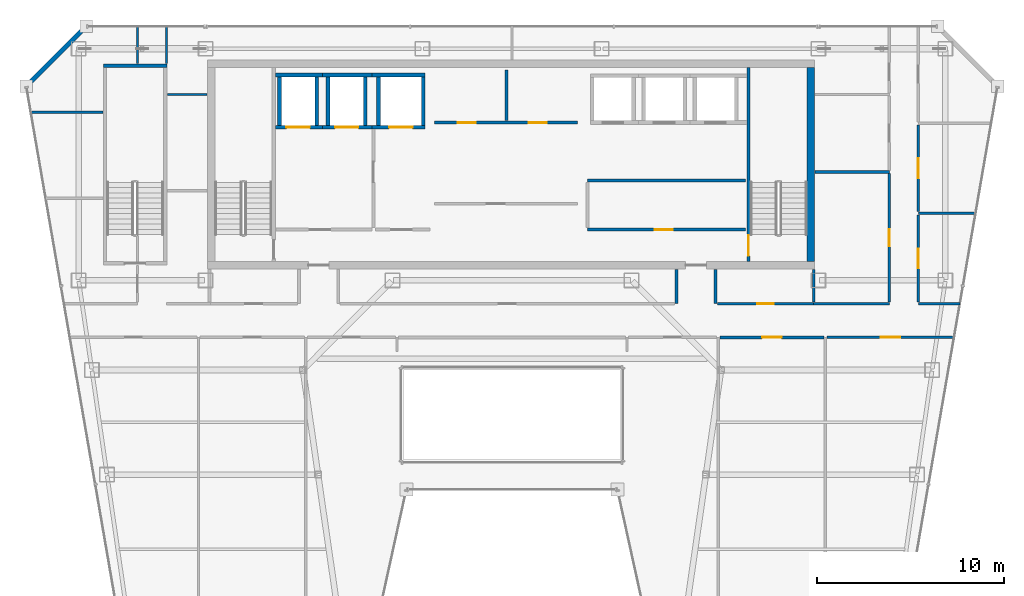
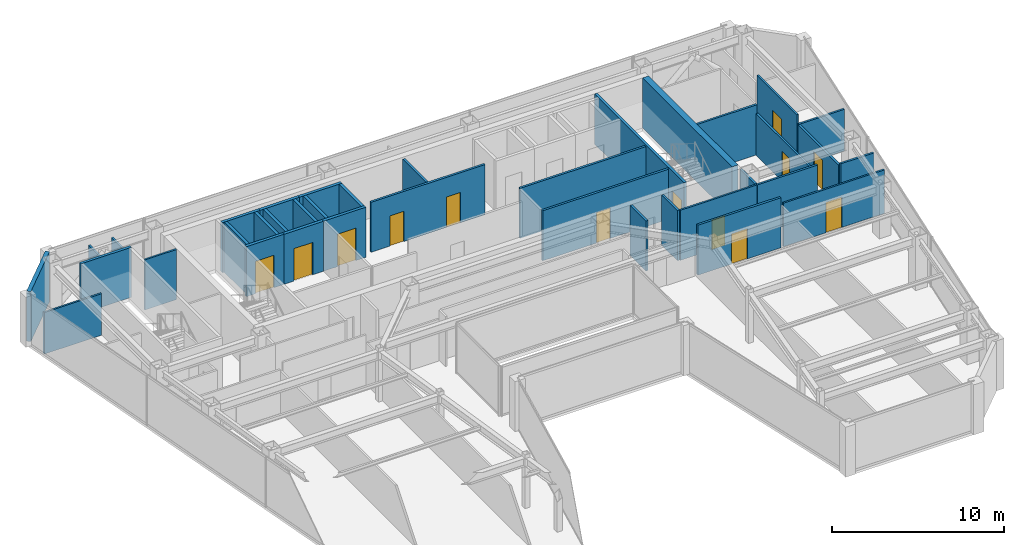
# One storey, part 27 of 32: 37 walls, 13 doors, 13 openings.
"""IFC4 building model written with IfcOpenShell, lengths in metres."""

import ifcopenshell
import ifcopenshell.guid

model = None  # the IFC model being written
_history = None  # IfcOwnerHistory: only IFC2X3 demands one
_inside = {}  # id of a spatial element -> (the spatial element, [elements in it])
_under = {}  # id of a project, library or spatial element -> (it, [spatial elements below it])
_declared = {}  # id of a project -> (the project, [libraries it declares])
_typed = {}  # id of a type object -> (the type object, [elements of that type])
_made_of = {}  # id of a material, layer set ... -> (it, [elements and type objects made of it])


def new_model(schema):
    """Start an empty IFC model of exactly this schema.

    Asked for "IFC4X3", IfcOpenShell would pick the latest addendum, in which some entities
    have other attributes; the version numbers below select the first issue.
    IFC2X3 requires an IfcOwnerHistory on every rooted entity: one is made here for all.
    """
    global model, _history
    if schema == "IFC4X3":
        model = ifcopenshell.file(schema_version=(4, 3, 0, 0))
    else:
        model = ifcopenshell.file(schema=schema)
    _inside.clear()
    _under.clear()
    _declared.clear()
    _typed.clear()
    _made_of.clear()
    _history = None
    if model.schema == "IFC2X3":
        org = make("IfcOrganization", Name="unknown")
        user = make(
            "IfcPersonAndOrganization",
            ThePerson=make("IfcPerson", FamilyName="unknown"),
            TheOrganization=org,
        )
        app = make(
            "IfcApplication",
            ApplicationDeveloper=org,
            Version="unknown",
            ApplicationFullName="unknown",
            ApplicationIdentifier="unknown",
        )
        _history = make(
            "IfcOwnerHistory",
            OwningUser=user,
            OwningApplication=app,
            ChangeAction="ADDED",
            CreationDate=0,
        )
    return model


def make(cls, **values):
    """One entity of the class cls with the attributes given. An attribute that is None is left unset."""
    return model.create_entity(
        cls, **{name: value for name, value in values.items() if value is not None}
    )


def rooted(cls, **values):
    """An entity with a GlobalId (a new one), such as an element, a storey or a relation."""
    return make(cls, GlobalId=ifcopenshell.guid.new(), OwnerHistory=_history, **values)


def si_unit(unit_type, name, prefix=None):
    """IfcSIUnit, for example si_unit("LENGTHUNIT", "METRE", prefix="MILLI")."""
    return make("IfcSIUnit", UnitType=unit_type, Prefix=prefix, Name=name)


def assignment(units):
    """IfcUnitAssignment: the units of a project."""
    return None if units is None else make("IfcUnitAssignment", Units=units)


def point(xyz):
    """IfcCartesianPoint."""
    return None if xyz is None else make("IfcCartesianPoint", Coordinates=xyz)


def direction(xyz):
    """IfcDirection."""
    return None if xyz is None else make("IfcDirection", DirectionRatios=xyz)


def frame(location, z_axis=None, x_axis=None):
    """IfcAxis2Placement3D, a coordinate frame: its origin and axes. An axis left out is left unset."""
    return make(
        "IfcAxis2Placement3D",
        Location=point(location),
        Axis=direction(z_axis),
        RefDirection=direction(x_axis),
    )


def frame_2d(location, x_axis=None):
    """IfcAxis2Placement2D, a coordinate frame in the plane: its origin and x axis."""
    return make(
        "IfcAxis2Placement2D", Location=point(location), RefDirection=direction(x_axis)
    )


def origin():
    """The frame at (0, 0, 0) with its axes left unset."""
    return frame((0.0, 0.0, 0.0))


def place(relative_to, where):
    """IfcLocalPlacement: puts the frame where relative to a parent placement (None: the world)."""
    return make(
        "IfcLocalPlacement", PlacementRelTo=relative_to, RelativePlacement=where
    )


def context(
    kind, dimensions, precision=None, world=None, true_north=None, identifier=None
):
    """IfcGeometricRepresentationContext, for example the 3D "Model" context."""
    return make(
        "IfcGeometricRepresentationContext",
        ContextIdentifier=identifier,
        ContextType=kind,
        CoordinateSpaceDimension=dimensions,
        Precision=precision,
        WorldCoordinateSystem=world,
        TrueNorth=true_north,
    )


def subcontext(parent, identifier, kind, view, scale=None):
    """IfcGeometricRepresentationSubContext, for example "Body" below "Model"."""
    return make(
        "IfcGeometricRepresentationSubContext",
        ContextIdentifier=identifier,
        ContextType=kind,
        ParentContext=parent,
        TargetScale=scale,
        TargetView=view,
    )


def project(units=None, contexts=None):
    """IfcProject with its units and contexts."""
    return rooted(
        "IfcProject",
        Name="project",
        RepresentationContexts=contexts,
        UnitsInContext=assignment(units),
    )


def spatial(cls, under=None, at=None, **own):
    """A site, building, storey or space (cls), placed at a placement, below another one or the project."""
    s = rooted(cls, ObjectPlacement=at, **own)
    if under is not None:
        _under.setdefault(under.id(), (under, []))[1].append(s)
    return s


def profile(cls, at=None, kind="AREA", **sizes):
    """A parametric profile (cls). Its sizes go by their IFC names, for example OverallWidth=200.0."""
    return make(cls, ProfileType=kind, Position=at, **sizes)


def rectangle(**sizes):
    """IfcRectangleProfileDef."""
    return profile("IfcRectangleProfileDef", **sizes)


def extrude(swept, where, along, depth):
    """IfcExtrudedAreaSolid: the profile swept, set in the frame where, extruded along a direction by depth."""
    return make(
        "IfcExtrudedAreaSolid",
        SweptArea=swept,
        Position=where,
        ExtrudedDirection=direction(along),
        Depth=depth,
    )


def shape(context_of_items, identifier, shape_type, items):
    """IfcShapeRepresentation: the items that make up one representation, for example the "Body"."""
    return make(
        "IfcShapeRepresentation",
        ContextOfItems=context_of_items,
        RepresentationIdentifier=identifier,
        RepresentationType=shape_type,
        Items=items,
    )


def material(Name=None, Category=None):
    """IfcMaterial."""
    return make("IfcMaterial", Name=Name, Category=Category)


def layer(
    of_material, thickness, ventilated=None, Name=None, Category=None, Priority=None
):
    """IfcMaterialLayer: one layer of a wall or slab, of a material (None: an air gap)."""
    return make(
        "IfcMaterialLayer",
        Material=of_material,
        LayerThickness=thickness,
        IsVentilated=ventilated,
        Name=Name,
        Category=Category,
        Priority=Priority,
    )


def layer_set(layers, Name=None):
    """IfcMaterialLayerSet."""
    return make("IfcMaterialLayerSet", MaterialLayers=layers, LayerSetName=Name)


def made_of(thing, what):
    """Note that an element or type object is made of a material, layer set ...; save() writes the relation."""
    if what is not None:
        _made_of.setdefault(what.id(), (what, []))[1].append(thing)
    return thing


def type_object(cls, material=None, **own):
    """A type object (cls), such as IfcWallType, which elements share."""
    return made_of(rooted(cls, **own), material)


def element(
    cls,
    number,
    at=None,
    inside=None,
    cuts=None,
    type_object=None,
    material=None,
    context=None,
    identifier="Body",
    shape_type=None,
    held_by="IfcProductDefinitionShape",
    body=None,
    shapes=None,
    **own,
):
    """One element of the class cls, such as IfcWall. Its Tag is "e" and its number.

    at: its placement. inside: the storey or other place that contains it. cuts: it is an
    opening in that element (IfcRelVoidsElement). A single representation is given by context,
    identifier, shape_type and body (its items); several are given by shapes. held_by: the class
    of the entity that holds the representations. save() writes the other relations.
    """
    e = rooted(cls, Tag="e%d" % number, ObjectPlacement=at, **own)
    if body is not None:
        shapes = [shape(context, identifier, shape_type, body)]
    if shapes is not None:
        e.Representation = make(held_by, Representations=shapes)
    if inside is not None:
        _inside.setdefault(inside.id(), (inside, []))[1].append(e)
    if cuts is not None:
        rooted(
            "IfcRelVoidsElement", RelatingBuildingElement=cuts, RelatedOpeningElement=e
        )
    if type_object is not None:
        _typed.setdefault(type_object.id(), (type_object, []))[1].append(e)
    return made_of(e, material)


def fill(opening, filler):
    """IfcRelFillsElement: the door or window that sits in an opening."""
    return rooted(
        "IfcRelFillsElement",
        RelatingOpeningElement=opening,
        RelatedBuildingElement=filler,
    )


def aggregate(whole, parts):
    """IfcRelAggregates: a whole, such as a stair, and the parts it consists of."""
    return rooted("IfcRelAggregates", RelatingObject=whole, RelatedObjects=parts)


def save(model, path):
    """Write the relations noted so far, then the file.

    IfcRelAggregates (storeys below a building ...), IfcRelContainedInSpatialStructure (elements
    in a storey), IfcRelDefinesByType, IfcRelAssociatesMaterial and IfcRelDeclares: one each for
    every whole, place, type object, material and project.
    """
    for whole, parts in _under.values():
        aggregate(whole, parts)
    for where, things in _inside.values():
        rooted(
            "IfcRelContainedInSpatialStructure",
            RelatedElements=things,
            RelatingStructure=where,
        )
    for kind, things in _typed.values():
        rooted("IfcRelDefinesByType", RelatedObjects=things, RelatingType=kind)
    for what, things in _made_of.values():
        rooted("IfcRelAssociatesMaterial", RelatedObjects=things, RelatingMaterial=what)
    for by, libraries in _declared.values():
        rooted("IfcRelDeclares", RelatingContext=by, RelatedDefinitions=libraries)
    model.write(path)


model = new_model("IFC4")

# Units and contexts
model_context = context("Model", 3, precision=1e-05, world=origin(), true_north=direction((0.0, 1.0)))
body_context = subcontext(model_context, "Body", "Model", "MODEL_VIEW")
ifc_project = project(units=[si_unit("LENGTHUNIT", "METRE"), si_unit("AREAUNIT", "SQUARE_METRE"), si_unit("VOLUMEUNIT", "CUBIC_METRE"), si_unit("PLANEANGLEUNIT", "RADIAN"), si_unit("MASSUNIT", "GRAM", prefix="KILO")], contexts=[model_context])

# Site, building, storey
site_placement = place(None, origin())
site = spatial("IfcSite", under=ifc_project, at=site_placement, CompositionType="ELEMENT")
building_placement = place(site_placement, origin())
building = spatial("IfcBuilding", under=site, at=building_placement, Name="Saevonmaru Cultural Tower", CompositionType="ELEMENT")
storey_placement = place(building_placement, frame((0.0, 0.0, 242.0)))
storey = spatial("IfcBuildingStorey", under=building, at=storey_placement, Name="L56", CompositionType="ELEMENT", Elevation=242.0)

# Wall
ifc_material_1 = material(Name="Concrete C50/60", Category="concrete")
ifc_layer_1 = layer(ifc_material_1, 0.39990234375, Name="Concrete C50/60")
ifc_layer_set_1 = layer_set([ifc_layer_1], Name="Concrete C50/60")
wall_type_1 = type_object("IfcWallType", Name="WL-CORE-400", PredefinedType="SHEAR", material=ifc_layer_set_1)
wall_1_placement = place(storey_placement, frame((46.0, 43.39990234375, 0.0), z_axis=(0.0, 0.0, 1.0), x_axis=(0.0, 1.0, 0.0)))
element("IfcWall", 1, at=wall_1_placement, inside=storey, type_object=wall_type_1, Name="L56 Tower RC core shear wall E", PredefinedType="SHEAR", context=body_context, shape_type="SweptSolid", body=[
    extrude(rectangle(XDim=10.400146484375, YDim=0.39990234375, at=frame_2d((5.2001953125, 0.0))), origin(), (0.0, 0.0, 1.0), 3.550048828125),
])

# Wall, opening, door
ifc_material_2 = material(Name="Gypsum Fireboard Partition", Category="gypsum")
ifc_layer_2 = layer(ifc_material_2, 0.14990234375, Name="Gypsum Fireboard Partition")
ifc_layer_set_2 = layer_set([ifc_layer_2], Name="Gypsum Fireboard Partition")
wall_type_2 = type_object("IfcWallType", Name="WL-CORE-PART-150", PredefinedType="PARTITIONING", material=ifc_layer_set_2)
wall_2_placement = place(storey_placement, frame((34.050048828125, 45.1201171875, 0.0), z_axis=(0.0, 0.0, 1.0), x_axis=(1.0, 0.0, 0.0)))
wall_2 = element("IfcWall", 2, at=wall_2_placement, inside=storey, type_object=wall_type_2, Name="L56 Core Service South Wall", PredefinedType="PARTITIONING", context=body_context, shape_type="SweptSolid", body=[
    extrude(rectangle(XDim=8.449951171875, YDim=0.14990234375, at=frame_2d((4.22509765625, 0.0))), origin(), (0.0, 0.0, 1.0), 3.550048828125),
])
opening_1_placement = place(wall_2_placement, frame((3.60009765625, 0.0, 0.0)))
opening_1 = element("IfcOpeningElement", 3, at=opening_1_placement, cuts=wall_2, Name="Opening FD-4", PredefinedType="OPENING", context=body_context, shape_type="SweptSolid", body=[
    extrude(rectangle(XDim=0.949951171875, YDim=2.14990234375, at=frame_2d((0.47509765625, 1.074951171875))), frame((0.0, 0.0849609375, 0.0), z_axis=(0.0, -1.0, 0.0), x_axis=(1.0, 0.0, 0.0)), (0.0, 0.0, 1.0), 0.169921875),
])
ifc_material_3 = material(Name="Satin Bronze Anodised Aluminium", Category="aluminium")
door_type_1 = type_object("IfcDoorType", Name="DR-FD60-950", OperationType="SINGLE_SWING_LEFT", PredefinedType="DOOR", material=ifc_material_3)
door_1_placement = place(opening_1_placement, origin())
door_1 = element("IfcDoor", 4, at=door_1_placement, inside=storey, type_object=door_type_1, Name="L56 Telecom Riser Plant Door", OperationType="SINGLE_SWING_LEFT", OverallHeight=2.14990234375, OverallWidth=0.949951171875, PredefinedType="DOOR", context=body_context, shape_type="SweptSolid", body=[
    extrude(rectangle(XDim=0.949951171875, YDim=2.14990234375, at=frame_2d((0.47509765625, 1.074951171875))), frame((0.0, 0.02490234375, 0.0), z_axis=(0.0, -1.0, 0.0), x_axis=(1.0, 0.0, 0.0)), (0.0, 0.0, 1.0), 0.050048828125),
])
fill(opening_1, door_1)

# Wall
wall_3_placement = place(storey_placement, frame((34.050048828125, 47.75, 0.0), z_axis=(0.0, 0.0, 1.0), x_axis=(1.0, 0.0, 0.0)))
element("IfcWall", 5, at=wall_3_placement, inside=storey, type_object=wall_type_2, Name="L56 Core Service North Wall", PredefinedType="PARTITIONING", context=body_context, shape_type="SweptSolid", body=[
    extrude(rectangle(XDim=8.449951171875, YDim=0.14990234375, at=frame_2d((4.22509765625, 0.0))), origin(), (0.0, 0.0, 1.0), 3.550048828125),
])

# Wall, openings, doors
wall_4_placement = place(storey_placement, frame((25.85009765625, 50.85009765625, 0.0), z_axis=(0.0, 0.0, 1.0), x_axis=(1.0, 0.0, 0.0)))
wall_4 = element("IfcWall", 6, at=wall_4_placement, inside=storey, type_object=wall_type_2, Name="L56 Reclaimed Core Room South Wall", PredefinedType="PARTITIONING", context=body_context, shape_type="SweptSolid", body=[
    extrude(rectangle(XDim=7.64990234375, YDim=0.14990234375, at=frame_2d((3.824951171875, 0.0))), origin(), (0.0, 0.0, 1.0), 3.550048828125),
])
opening_2_placement = place(wall_4_placement, frame((1.25, 0.0, 0.0)))
opening_2 = element("IfcOpeningElement", 7, at=opening_2_placement, cuts=wall_4, Name="Opening FD-4", PredefinedType="OPENING", context=body_context, shape_type="SweptSolid", body=[
    extrude(rectangle(XDim=0.949951171875, YDim=2.14990234375, at=frame_2d((0.47509765625, 1.074951171875))), frame((0.0, 0.0849609375, 0.0), z_axis=(0.0, -1.0, 0.0), x_axis=(1.0, 0.0, 0.0)), (0.0, 0.0, 1.0), 0.169921875),
])
opening_3_placement = place(wall_4_placement, frame((5.050048828125, 0.0, 0.0)))
opening_3 = element("IfcOpeningElement", 8, at=opening_3_placement, cuts=wall_4, Name="Opening FD-4", PredefinedType="OPENING", context=body_context, shape_type="SweptSolid", body=[
    extrude(rectangle(XDim=0.949951171875, YDim=2.14990234375, at=frame_2d((0.47509765625, 1.074951171875))), frame((0.0, 0.0849609375, 0.0), z_axis=(0.0, -1.0, 0.0), x_axis=(1.0, 0.0, 0.0)), (0.0, 0.0, 1.0), 0.169921875),
])
door_2_placement = place(opening_2_placement, origin())
door_2 = element("IfcDoor", 9, at=door_2_placement, inside=storey, type_object=door_type_1, Name="L56 Reclaimed Archive Vault Door", OperationType="SINGLE_SWING_LEFT", OverallHeight=2.14990234375, OverallWidth=0.949951171875, PredefinedType="DOOR", context=body_context, shape_type="SweptSolid", body=[
    extrude(rectangle(XDim=0.949951171875, YDim=2.14990234375, at=frame_2d((0.47509765625, 1.074951171875))), frame((0.0, 0.02490234375, 0.0), z_axis=(0.0, -1.0, 0.0), x_axis=(1.0, 0.0, 0.0)), (0.0, 0.0, 1.0), 0.050048828125),
])
fill(opening_2, door_2)
door_3_placement = place(opening_3_placement, origin())
door_3 = element("IfcDoor", 10, at=door_3_placement, inside=storey, type_object=door_type_1, Name="L56 Reclaimed Conservation Storage Door", OperationType="SINGLE_SWING_LEFT", OverallHeight=2.14990234375, OverallWidth=0.949951171875, PredefinedType="DOOR", context=body_context, shape_type="SweptSolid", body=[
    extrude(rectangle(XDim=0.949951171875, YDim=2.14990234375, at=frame_2d((0.47509765625, 1.074951171875))), frame((0.0, 0.02490234375, 0.0), z_axis=(0.0, -1.0, 0.0), x_axis=(1.0, 0.0, 0.0)), (0.0, 0.0, 1.0), 0.050048828125),
])
fill(opening_3, door_3)

# Walls
wall_5_placement = place(storey_placement, frame((29.699951171875, 50.949951171875, 0.0), z_axis=(0.0, 0.0, 1.0), x_axis=(0.0, 1.0, 0.0)))
element("IfcWall", 11, at=wall_5_placement, inside=storey, type_object=wall_type_2, Name="L56 Reclaimed Vault Split", PredefinedType="PARTITIONING", context=body_context, shape_type="SweptSolid", body=[
    extrude(rectangle(XDim=2.699951171875, YDim=0.14990234375, at=frame_2d((1.35009765625, 0.0))), origin(), (0.0, 0.0, 1.0), 3.550048828125),
])
ifc_material_4 = material(Name="Granite-Clad Precast Concrete C40/50", Category="masonry")
ifc_layer_3 = layer(ifc_material_4, 0.260009765625, Name="Granite-Clad Precast Concrete C40/50")
ifc_layer_set_3 = layer_set([ifc_layer_3], Name="Granite-Clad Precast Concrete C40/50")
wall_type_3 = type_object("IfcWallType", Name="WL-EXT-SPANDREL-260", PredefinedType="STANDARD", material=ifc_layer_set_3)
wall_6_placement = place(storey_placement, frame((7.0869140625, 55.886962890625, 0.0), z_axis=(0.0, 0.0, 1.0), x_axis=(-0.707106781187, -0.707106781187, 0.0)))
element("IfcWall", 12, at=wall_6_placement, inside=storey, type_object=wall_type_3, Name="L56 Chamfer Corner Spandrel Wall E11", PredefinedType="STANDARD", context=body_context, shape_type="SweptSolid", body=[
    extrude(rectangle(XDim=4.205810546875, YDim=0.260009765625, at=frame_2d((2.10302734375, 0.0))), origin(), (0.0, 0.0, 1.0), 3.550048828125),
])

# Wall, opening, door
ifc_layer_4 = layer(ifc_material_2, 0.14990234375, Name="Gypsum Fireboard Partition")
ifc_layer_set_4 = layer_set([ifc_layer_4], Name="Gypsum Fireboard Partition")
wall_type_4 = type_object("IfcWallType", Name="WL-PART-FIRE-150", PredefinedType="PARTITIONING", material=ifc_layer_set_4)
wall_7_placement = place(storey_placement, frame((51.75, 41.237548828125, 0.0), z_axis=(0.0, 0.0, 1.0), x_axis=(0.0, 1.0, 0.0)))
wall_7 = element("IfcWall", 13, at=wall_7_placement, inside=storey, type_object=wall_type_4, Name="L56 East Asian Ceramics Gallery Corridor Wall", PredefinedType="PARTITIONING", context=body_context, shape_type="SweptSolid", body=[
    extrude(rectangle(XDim=4.675048828125, YDim=0.14990234375, at=frame_2d((2.33740234375, 0.0))), origin(), (0.0, 0.0, 1.0), 2.947021484375),
])
opening_4_placement = place(wall_7_placement, frame((1.81298828125, 0.0, 0.0)))
opening_4 = element("IfcOpeningElement", 14, at=opening_4_placement, cuts=wall_7, Name="Opening ID-1", PredefinedType="OPENING", context=body_context, shape_type="SweptSolid", body=[
    extrude(rectangle(XDim=1.050048828125, YDim=2.14990234375, at=frame_2d((0.52490234375, 1.074951171875))), frame((0.0, 0.0849609375, 0.0), z_axis=(0.0, -1.0, 0.0), x_axis=(1.0, 0.0, 0.0)), (0.0, 0.0, 1.0), 0.169921875),
])
door_type_2 = type_object("IfcDoorType", Name="DR-INT-1050", OperationType="SINGLE_SWING_LEFT", PredefinedType="DOOR", material=ifc_material_3)
door_4_placement = place(opening_4_placement, origin())
door_4 = element("IfcDoor", 15, at=door_4_placement, inside=storey, type_object=door_type_2, Name="L56 East Asian Ceramics Gallery Door", OperationType="SINGLE_SWING_RIGHT", OverallHeight=2.14990234375, OverallWidth=1.050048828125, PredefinedType="DOOR", context=body_context, shape_type="SweptSolid", body=[
    extrude(rectangle(XDim=1.050048828125, YDim=2.14990234375, at=frame_2d((0.52490234375, 1.074951171875))), frame((0.0, 0.02490234375, 0.0), z_axis=(0.0, -1.0, 0.0), x_axis=(1.0, 0.0, 0.0)), (0.0, 0.0, 1.0), 0.050048828125),
])
fill(opening_4, door_4)

# Walls
for number, where, z_axis, x_axis, name in (
    (16, (38.800048828125, 41.14990234375, 0.0), (0.0, 0.0, 1.0), (0.0, 1.0, 0.0), "L56 Core Portal Side Wall E1"),
    (17, (40.89990234375, 41.14990234375, 0.0), (0.0, 0.0, 1.0), (0.0, 1.0, 0.0), "L56 Core Portal Side Wall E2"),
):
    element("IfcWall", number, at=place(storey_placement, frame(where, z_axis=z_axis, x_axis=x_axis)), inside=storey, type_object=wall_type_4, Name=name, PredefinedType="PARTITIONING", context=body_context, shape_type="SweptSolid", body=[
        extrude(rectangle(XDim=1.830078125, YDim=0.14990234375, at=frame_2d((0.9150390625, 0.0))), origin(), (0.0, 0.0, 1.0), 3.550048828125),
    ])

# Wall, opening, door
wall_8_placement = place(storey_placement, frame((41.12744140625, 39.35009765625, 0.0), z_axis=(0.0, 0.0, 1.0), x_axis=(1.0, 0.0, 0.0)))
wall_8 = element("IfcWall", 18, at=wall_8_placement, inside=storey, type_object=wall_type_4, Name="L56 East Asian Ceramics Gallery Corridor Wall", PredefinedType="PARTITIONING", context=body_context, shape_type="SweptSolid", body=[
    extrude(rectangle(XDim=5.56494140625, YDim=0.14990234375, at=frame_2d((2.782470703125, 0.0))), origin(), (0.0, 0.0, 1.0), 3.550048828125),
])
opening_5_placement = place(wall_8_placement, frame((2.258056640625, 0.0, 0.0)))
opening_5 = element("IfcOpeningElement", 19, at=opening_5_placement, cuts=wall_8, Name="Opening ID-1", PredefinedType="OPENING", context=body_context, shape_type="SweptSolid", body=[
    extrude(rectangle(XDim=1.050048828125, YDim=2.14990234375, at=frame_2d((0.52490234375, 1.074951171875))), frame((0.0, 0.0849609375, 0.0), z_axis=(0.0, -1.0, 0.0), x_axis=(1.0, 0.0, 0.0)), (0.0, 0.0, 1.0), 0.169921875),
])
door_5_placement = place(opening_5_placement, origin())
door_5 = element("IfcDoor", 20, at=door_5_placement, inside=storey, type_object=door_type_2, Name="L56 East Asian Ceramics Gallery Door", OperationType="SINGLE_SWING_RIGHT", OverallHeight=2.14990234375, OverallWidth=1.050048828125, PredefinedType="DOOR", context=body_context, shape_type="SweptSolid", body=[
    extrude(rectangle(XDim=1.050048828125, YDim=2.14990234375, at=frame_2d((0.52490234375, 1.074951171875))), frame((0.0, 0.02490234375, 0.0), z_axis=(0.0, -1.0, 0.0), x_axis=(1.0, 0.0, 0.0)), (0.0, 0.0, 1.0), 0.050048828125),
])
fill(opening_5, door_5)

# Walls
ifc_layer_5 = layer(ifc_material_2, 0.1201171875, Name="Gypsum Fireboard Partition")
ifc_layer_set_5 = layer_set([ifc_layer_5], Name="Gypsum Fireboard Partition")
wall_type_5 = type_object("IfcWallType", Name="WL-PART-GYP-120", PredefinedType="PARTITIONING", material=ifc_layer_set_5)
wall_9_placement = place(storey_placement, frame((11.550048828125, 52.35009765625, 0.0), z_axis=(0.0, 0.0, 1.0), x_axis=(1.0, 0.0, 0.0)))
element("IfcWall", 21, at=wall_9_placement, inside=storey, type_object=wall_type_5, Name="L56 North-West Panorama South Wall", PredefinedType="PARTITIONING", context=body_context, shape_type="SweptSolid", body=[
    extrude(rectangle(XDim=2.1298828125, YDim=0.1201171875, at=frame_2d((1.06494140625, 0.0))), origin(), (0.0, 0.0, 1.0), 3.550048828125),
])
wall_10_placement = place(storey_placement, frame((11.5, 54.0, 0.0), z_axis=(0.0, 0.0, 1.0), x_axis=(0.0, 1.0, 0.0)))
element("IfcWall", 22, at=wall_10_placement, inside=storey, type_object=wall_type_5, Name="L56 Literature Seminar Meeting Room Corridor Wall", PredefinedType="PARTITIONING", context=body_context, shape_type="SweptSolid", body=[
    extrude(rectangle(XDim=1.9951171875, YDim=0.1201171875, at=frame_2d((0.99755859375, 0.0))), origin(), (0.0, 0.0, 1.0), 2.93505859375),
])
wall_11_placement = place(storey_placement, frame((4.247802734375, 51.39990234375, 0.0), z_axis=(0.0, 0.0, 1.0), x_axis=(1.0, 0.0, 0.0)))
element("IfcWall", 23, at=wall_11_placement, inside=storey, type_object=wall_type_5, Name="L56 NW Studio Divider 2", PredefinedType="PARTITIONING", context=body_context, shape_type="SweptSolid", body=[
    extrude(rectangle(XDim=3.852294921875, YDim=0.1201171875, at=frame_2d((1.92626953125, 0.0))), origin(), (0.0, 0.0, 1.0), 2.947021484375),
])
wall_12_placement = place(storey_placement, frame((9.949951171875, 54.0, 0.0), z_axis=(0.0, 0.0, 1.0), x_axis=(0.0, 1.0, 0.0)))
element("IfcWall", 24, at=wall_12_placement, inside=storey, type_object=wall_type_5, Name="L56 Literature Seminar Meeting Room Corridor Wall", PredefinedType="PARTITIONING", context=body_context, shape_type="SweptSolid", body=[
    extrude(rectangle(XDim=1.9951171875, YDim=0.1201171875, at=frame_2d((0.99755859375, 0.0))), origin(), (0.0, 0.0, 1.0), 2.93505859375),
])

# Wall, opening, door
wall_13_placement = place(storey_placement, frame((51.75, 46.08740234375, 0.0), z_axis=(0.0, 0.0, 1.0), x_axis=(0.0, 1.0, 0.0)))
wall_13 = element("IfcWall", 25, at=wall_13_placement, inside=storey, type_object=wall_type_5, Name="L56 Rare Folio Reading Room Corridor Wall", PredefinedType="PARTITIONING", context=body_context, shape_type="SweptSolid", body=[
    extrude(rectangle(XDim=4.625, YDim=0.1201171875, at=frame_2d((2.3125, 0.0))), origin(), (0.0, 0.0, 1.0), 3.550048828125),
])
opening_6_placement = place(wall_13_placement, frame((1.7880859375, 0.0, 0.0)))
opening_6 = element("IfcOpeningElement", 26, at=opening_6_placement, cuts=wall_13, Name="Opening ID-1", PredefinedType="OPENING", context=body_context, shape_type="SweptSolid", body=[
    extrude(rectangle(XDim=1.050048828125, YDim=2.14990234375, at=frame_2d((0.52490234375, 1.074951171875))), frame((0.0, 0.070068359375, 0.0), z_axis=(0.0, -1.0, 0.0), x_axis=(1.0, 0.0, 0.0)), (0.0, 0.0, 1.0), 0.14013671875),
])
door_6_placement = place(opening_6_placement, origin())
door_6 = element("IfcDoor", 27, at=door_6_placement, inside=storey, type_object=door_type_2, Name="L56 Rare Folio Reading Room Door", OperationType="SINGLE_SWING_LEFT", OverallHeight=2.14990234375, OverallWidth=1.050048828125, PredefinedType="DOOR", context=body_context, shape_type="SweptSolid", body=[
    extrude(rectangle(XDim=1.050048828125, YDim=2.14990234375, at=frame_2d((0.52490234375, 1.074951171875))), frame((0.0, 0.02490234375, 0.0), z_axis=(0.0, -1.0, 0.0), x_axis=(1.0, 0.0, 0.0)), (0.0, 0.0, 1.0), 0.050048828125),
])
fill(opening_6, door_6)

wall_14_placement = place(storey_placement, frame((40.9951171875, 41.14990234375, 0.0), z_axis=(0.0, 0.0, 1.0), x_axis=(1.0, 0.0, 0.0)))
wall_14 = element("IfcWall", 28, at=wall_14_placement, inside=storey, type_object=wall_type_5, Name="L56 Literature Seminar Meeting Room Corridor Wall", PredefinedType="PARTITIONING", context=body_context, shape_type="SweptSolid", body=[
    extrude(rectangle(XDim=5.15478515625, YDim=0.1201171875, at=frame_2d((2.577392578125, 0.0))), origin(), (0.0, 0.0, 1.0), 3.550048828125),
])
opening_7_placement = place(wall_14_placement, frame((2.1279296875, 0.0, 0.0)))
opening_7 = element("IfcOpeningElement", 29, at=opening_7_placement, cuts=wall_14, Name="Opening ID-2", PredefinedType="OPENING", context=body_context, shape_type="SweptSolid", body=[
    extrude(rectangle(XDim=0.89990234375, YDim=2.10009765625, at=frame_2d((0.449951171875, 1.050048828125))), frame((0.0, 0.070068359375, 0.0), z_axis=(0.0, -1.0, 0.0), x_axis=(1.0, 0.0, 0.0)), (0.0, 0.0, 1.0), 0.14013671875),
])
ifc_material_5 = material(Name="Acoustic Stained Oak Timber", Category="wood")
door_type_3 = type_object("IfcDoorType", Name="DR-INT-900", OperationType="SINGLE_SWING_RIGHT", PredefinedType="DOOR", material=ifc_material_5)
door_7_placement = place(opening_7_placement, origin())
door_7 = element("IfcDoor", 30, at=door_7_placement, inside=storey, type_object=door_type_3, Name="L56 Literature Seminar Meeting Room Door", OperationType="SINGLE_SWING_LEFT", OverallHeight=2.10009765625, OverallWidth=0.89990234375, PredefinedType="DOOR", context=body_context, shape_type="SweptSolid", body=[
    extrude(rectangle(XDim=0.89990234375, YDim=2.10009765625, at=frame_2d((0.449951171875, 1.050048828125))), frame((0.0, 0.02490234375, 0.0), z_axis=(0.0, -1.0, 0.0), x_axis=(1.0, 0.0, 0.0)), (0.0, 0.0, 1.0), 0.050048828125),
])
fill(opening_7, door_7)

wall_15_placement = place(storey_placement, frame((46.867431640625, 39.35009765625, 0.0), z_axis=(0.0, 0.0, 1.0), x_axis=(1.0, 0.0, 0.0)))
wall_15 = element("IfcWall", 31, at=wall_15_placement, inside=storey, type_object=wall_type_5, Name="L56 Rare Folio Reading Room Corridor Wall", PredefinedType="PARTITIONING", context=body_context, shape_type="SweptSolid", body=[
    extrude(rectangle(XDim=6.796142578125, YDim=0.1201171875, at=frame_2d((3.39794921875, 0.0))), origin(), (0.0, 0.0, 1.0), 3.0849609375),
])
opening_8_placement = place(wall_15_placement, frame((2.873046875, 0.0, 0.0)))
opening_8 = element("IfcOpeningElement", 32, at=opening_8_placement, cuts=wall_15, Name="Opening ID-1", PredefinedType="OPENING", context=body_context, shape_type="SweptSolid", body=[
    extrude(rectangle(XDim=1.050048828125, YDim=2.14990234375, at=frame_2d((0.52490234375, 1.074951171875))), frame((0.0, 0.070068359375, 0.0), z_axis=(0.0, -1.0, 0.0), x_axis=(1.0, 0.0, 0.0)), (0.0, 0.0, 1.0), 0.14013671875),
])
door_8_placement = place(opening_8_placement, origin())
door_8 = element("IfcDoor", 33, at=door_8_placement, inside=storey, type_object=door_type_2, Name="L56 Rare Folio Reading Room Door", OperationType="SINGLE_SWING_LEFT", OverallHeight=2.14990234375, OverallWidth=1.050048828125, PredefinedType="DOOR", context=body_context, shape_type="SweptSolid", body=[
    extrude(rectangle(XDim=1.050048828125, YDim=2.14990234375, at=frame_2d((0.52490234375, 1.074951171875))), frame((0.0, 0.02490234375, 0.0), z_axis=(0.0, -1.0, 0.0), x_axis=(1.0, 0.0, 0.0)), (0.0, 0.0, 1.0), 0.050048828125),
])
fill(opening_8, door_8)

# Walls
ifc_layer_6 = layer(ifc_material_2, 0.135009765625, Name="Gypsum Fireboard Partition")
ifc_layer_set_6 = layer_set([ifc_layer_6], Name="Gypsum Fireboard Partition")
wall_type_6 = type_object("IfcWallType", Name="WL-PART-GYP-135", PredefinedType="PARTITIONING", material=ifc_layer_set_6)
wall_16_placement = place(storey_placement, frame((51.75, 41.14990234375, 0.0), z_axis=(0.0, 0.0, 1.0), x_axis=(1.0, 0.0, 0.0)))
element("IfcWall", 34, at=wall_16_placement, inside=storey, type_object=wall_type_6, Name="L56 NE Wing South Wall", PredefinedType="PARTITIONING", context=body_context, shape_type="SweptSolid", body=[
    extrude(rectangle(XDim=2.2255859375, YDim=0.135009765625, at=frame_2d((1.11279296875, 0.0))), origin(), (0.0, 0.0, 1.0), 3.0849609375),
])
wall_17_placement = place(storey_placement, frame((51.75, 46.0, 0.0), z_axis=(0.0, 0.0, 1.0), x_axis=(1.0, 0.0, 0.0)))
element("IfcWall", 35, at=wall_17_placement, inside=storey, type_object=wall_type_6, Name="L56 NE Studio Divider 1", PredefinedType="PARTITIONING", context=body_context, shape_type="SweptSolid", body=[
    extrude(rectangle(XDim=3.06640625, YDim=0.135009765625, at=frame_2d((1.533203125, 0.0))), origin(), (0.0, 0.0, 1.0), 2.947021484375),
])
ifc_layer_7 = layer(ifc_material_2, 0.139892578125, Name="Gypsum Fireboard Partition")
ifc_layer_set_7 = layer_set([ifc_layer_7], Name="Gypsum Fireboard Partition")
wall_type_7 = type_object("IfcWallType", Name="WL-PART-WET-140", PredefinedType="PARTITIONING", material=ifc_layer_set_7)
wall_18_placement = place(storey_placement, frame((46.14990234375, 41.14990234375, 0.0), z_axis=(0.0, 0.0, 1.0), x_axis=(1.0, 0.0, 0.0)))
element("IfcWall", 36, at=wall_18_placement, inside=storey, type_object=wall_type_7, Name="L56 Washroom South Wall", PredefinedType="PARTITIONING", context=body_context, shape_type="SweptSolid", body=[
    extrude(rectangle(XDim=4.050048828125, YDim=0.139892578125, at=frame_2d((2.02490234375, 0.0))), origin(), (0.0, 0.0, 1.0), 3.550048828125),
])
wall_19_placement = place(storey_placement, frame((46.14990234375, 41.239990234375, 0.0), z_axis=(0.0, 0.0, 1.0), x_axis=(0.0, 1.0, 0.0)))
element("IfcWall", 37, at=wall_19_placement, inside=storey, type_object=wall_type_7, Name="L56 Washroom South-West Return", PredefinedType="PARTITIONING", context=body_context, shape_type="SweptSolid", body=[
    extrude(rectangle(XDim=1.739990234375, YDim=0.139892578125, at=frame_2d((0.8701171875, 0.0))), origin(), (0.0, 0.0, 1.0), 3.550048828125),
])
wall_20_placement = place(storey_placement, frame((46.219970703125, 48.199951171875, 0.0), z_axis=(0.0, 0.0, 1.0), x_axis=(1.0, 0.0, 0.0)))
element("IfcWall", 38, at=wall_20_placement, inside=storey, type_object=wall_type_7, Name="L56 Washroom North Wall", PredefinedType="PARTITIONING", context=body_context, shape_type="SweptSolid", body=[
    extrude(rectangle(XDim=3.97998046875, YDim=0.139892578125, at=frame_2d((1.989990234375, 0.0))), origin(), (0.0, 0.0, 1.0), 3.550048828125),
])

# Wall, opening, door
wall_21_placement = place(storey_placement, frame((50.199951171875, 41.239990234375, 0.0), z_axis=(0.0, 0.0, 1.0), x_axis=(0.0, 1.0, 0.0)))
wall_21 = element("IfcWall", 39, at=wall_21_placement, inside=storey, type_object=wall_type_7, Name="L56 Washroom Corridor Wall", PredefinedType="PARTITIONING", context=body_context, shape_type="SweptSolid", body=[
    extrude(rectangle(XDim=6.8701171875, YDim=0.139892578125, at=frame_2d((3.43505859375, 0.0))), origin(), (0.0, 0.0, 1.0), 2.947021484375),
])
opening_9_placement = place(wall_21_placement, frame((2.985107421875, 0.0, 0.0)))
opening_9 = element("IfcOpeningElement", 40, at=opening_9_placement, cuts=wall_21, Name="Opening ID-2", PredefinedType="OPENING", context=body_context, shape_type="SweptSolid", body=[
    extrude(rectangle(XDim=0.89990234375, YDim=2.10009765625, at=frame_2d((0.449951171875, 1.050048828125))), frame((0.0, 0.080078125, 0.0), z_axis=(0.0, -1.0, 0.0), x_axis=(1.0, 0.0, 0.0)), (0.0, 0.0, 1.0), 0.159912109375),
])
door_9_placement = place(opening_9_placement, origin())
door_9 = element("IfcDoor", 41, at=door_9_placement, inside=storey, type_object=door_type_3, Name="L56 Public Accessible Washrooms Door", OperationType="SINGLE_SWING_RIGHT", OverallHeight=2.10009765625, OverallWidth=0.89990234375, PredefinedType="DOOR", context=body_context, shape_type="SweptSolid", body=[
    extrude(rectangle(XDim=0.89990234375, YDim=2.10009765625, at=frame_2d((0.449951171875, 1.050048828125))), frame((0.0, 0.02490234375, 0.0), z_axis=(0.0, -1.0, 0.0), x_axis=(1.0, 0.0, 0.0)), (0.0, 0.0, 1.0), 0.050048828125),
])
fill(opening_9, door_9)

ifc_material_6 = material(Name="Concrete C40/50", Category="concrete")
ifc_layer_8 = layer(ifc_material_6, 0.199951171875, Name="Concrete C40/50")
ifc_layer_set_8 = layer_set([ifc_layer_8], Name="Concrete C40/50")
wall_type_8 = type_object("IfcWallType", Name="WL-SHAFT-200", PredefinedType="SHEAR", material=ifc_layer_set_8)
wall_22_placement = place(storey_placement, frame((17.330078125, 50.60009765625, 0.0), z_axis=(0.0, 0.0, 1.0), x_axis=(1.0, 0.0, 0.0)))
wall_22 = element("IfcWall", 42, at=wall_22_placement, inside=storey, type_object=wall_type_8, Name="L56 Lift FFL-1 Hoistway Wall S", PredefinedType="SHEAR", context=body_context, shape_type="SweptSolid", body=[
    extrude(rectangle(XDim=2.52001953125, YDim=0.199951171875, at=frame_2d((1.260009765625, 0.0))), origin(), (0.0, 0.0, 1.0), 3.550048828125),
])
opening_10_placement = place(wall_22_placement, frame((0.594970703125, 0.0, 0.0)))
opening_10 = element("IfcOpeningElement", 43, at=opening_10_placement, cuts=wall_22, Name="Opening LD-2", PredefinedType="OPENING", context=body_context, shape_type="SweptSolid", body=[
    extrude(rectangle(XDim=1.25, YDim=2.300048828125, at=frame_2d((0.625, 1.14990234375))), frame((0.0, 0.10986328125, 0.0), z_axis=(0.0, -1.0, 0.0), x_axis=(1.0, 0.0, 0.0)), (0.0, 0.0, 1.0), 0.219970703125),
])
ifc_material_7 = material(Name="Stainless Steel 316", Category="steel")
door_type_4 = type_object("IfcDoorType", Name="DR-LIFT-1250", OperationType="SLIDING_TO_LEFT", PredefinedType="DOOR", material=ifc_material_7)
door_10_placement = place(opening_10_placement, origin())
door_10 = element("IfcDoor", 44, at=door_10_placement, inside=storey, type_object=door_type_4, Name="L56 Lift FFL-1 Sliding Landing Door", OperationType="SLIDING_TO_LEFT", OverallHeight=2.300048828125, OverallWidth=1.25, PredefinedType="DOOR", context=body_context, shape_type="SweptSolid", body=[
    extrude(rectangle(XDim=1.25, YDim=2.300048828125, at=frame_2d((0.625, 1.14990234375))), frame((0.0, 0.02490234375, 0.0), z_axis=(0.0, -1.0, 0.0), x_axis=(1.0, 0.0, 0.0)), (0.0, 0.0, 1.0), 0.050048828125),
])
fill(opening_10, door_10)

# Walls
wall_23_placement = place(storey_placement, frame((17.330078125, 53.39990234375, 0.0), z_axis=(0.0, 0.0, 1.0), x_axis=(1.0, 0.0, 0.0)))
element("IfcWall", 45, at=wall_23_placement, inside=storey, type_object=wall_type_8, Name="L56 Lift FFL-1 Hoistway Wall N", PredefinedType="SHEAR", context=body_context, shape_type="SweptSolid", body=[
    extrude(rectangle(XDim=2.52001953125, YDim=0.199951171875, at=frame_2d((1.260009765625, 0.0))), origin(), (0.0, 0.0, 1.0), 3.550048828125),
])
for number, where, z_axis, x_axis, name in (
    (46, (17.550048828125, 50.699951171875, 0.0), (0.0, 0.0, 1.0), (0.0, 1.0, 0.0), "L56 Lift FFL-1 Hoistway Wall W"),
    (47, (19.550048828125, 50.699951171875, 0.0), (0.0, 0.0, 1.0), (0.0, 1.0, 0.0), "L56 Lift FFL-1 Hoistway Wall E"),
):
    element("IfcWall", number, at=place(storey_placement, frame(where, z_axis=z_axis, x_axis=x_axis)), inside=storey, type_object=wall_type_8, Name=name, PredefinedType="SHEAR", context=body_context, shape_type="SweptSolid", body=[
        extrude(rectangle(XDim=2.60009765625, YDim=0.199951171875, at=frame_2d((1.300048828125, 0.0))), origin(), (0.0, 0.0, 1.0), 3.550048828125),
    ])

# Wall, opening, door
wall_24_placement = place(storey_placement, frame((19.85009765625, 50.60009765625, 0.0), z_axis=(0.0, 0.0, 1.0), x_axis=(1.0, 0.0, 0.0)))
wall_24 = element("IfcWall", 48, at=wall_24_placement, inside=storey, type_object=wall_type_8, Name="L56 Lift FFL-2 Hoistway Wall S", PredefinedType="SHEAR", context=body_context, shape_type="SweptSolid", body=[
    extrude(rectangle(XDim=2.64990234375, YDim=0.199951171875, at=frame_2d((1.324951171875, 0.0))), origin(), (0.0, 0.0, 1.0), 3.550048828125),
])
opening_11_placement = place(wall_24_placement, frame((0.675048828125, 0.0, 0.0)))
opening_11 = element("IfcOpeningElement", 49, at=opening_11_placement, cuts=wall_24, Name="Opening LD-2", PredefinedType="OPENING", context=body_context, shape_type="SweptSolid", body=[
    extrude(rectangle(XDim=1.25, YDim=2.300048828125, at=frame_2d((0.625, 1.14990234375))), frame((0.0, 0.10986328125, 0.0), z_axis=(0.0, -1.0, 0.0), x_axis=(1.0, 0.0, 0.0)), (0.0, 0.0, 1.0), 0.219970703125),
])
door_11_placement = place(opening_11_placement, origin())
door_11 = element("IfcDoor", 50, at=door_11_placement, inside=storey, type_object=door_type_4, Name="L56 Lift FFL-2 Sliding Landing Door", OperationType="SLIDING_TO_LEFT", OverallHeight=2.300048828125, OverallWidth=1.25, PredefinedType="DOOR", context=body_context, shape_type="SweptSolid", body=[
    extrude(rectangle(XDim=1.25, YDim=2.300048828125, at=frame_2d((0.625, 1.14990234375))), frame((0.0, 0.02490234375, 0.0), z_axis=(0.0, -1.0, 0.0), x_axis=(1.0, 0.0, 0.0)), (0.0, 0.0, 1.0), 0.050048828125),
])
fill(opening_11, door_11)

# Walls
wall_25_placement = place(storey_placement, frame((19.85009765625, 53.39990234375, 0.0), z_axis=(0.0, 0.0, 1.0), x_axis=(1.0, 0.0, 0.0)))
element("IfcWall", 51, at=wall_25_placement, inside=storey, type_object=wall_type_8, Name="L56 Lift FFL-2 Hoistway Wall N", PredefinedType="SHEAR", context=body_context, shape_type="SweptSolid", body=[
    extrude(rectangle(XDim=2.64990234375, YDim=0.199951171875, at=frame_2d((1.324951171875, 0.0))), origin(), (0.0, 0.0, 1.0), 3.550048828125),
])
for number, where, z_axis, x_axis, name in (
    (52, (20.14990234375, 50.699951171875, 0.0), (0.0, 0.0, 1.0), (0.0, 1.0, 0.0), "L56 Lift FFL-2 Hoistway Wall W"),
    (53, (22.14990234375, 50.699951171875, 0.0), (0.0, 0.0, 1.0), (0.0, 1.0, 0.0), "L56 Lift FFL-2 Hoistway Wall E"),
):
    element("IfcWall", number, at=place(storey_placement, frame(where, z_axis=z_axis, x_axis=x_axis)), inside=storey, type_object=wall_type_8, Name=name, PredefinedType="SHEAR", context=body_context, shape_type="SweptSolid", body=[
        extrude(rectangle(XDim=2.60009765625, YDim=0.199951171875, at=frame_2d((1.300048828125, 0.0))), origin(), (0.0, 0.0, 1.0), 3.550048828125),
    ])

# Wall, opening, door
wall_26_placement = place(storey_placement, frame((22.5, 50.60009765625, 0.0), z_axis=(0.0, 0.0, 1.0), x_axis=(1.0, 0.0, 0.0)))
wall_26 = element("IfcWall", 54, at=wall_26_placement, inside=storey, type_object=wall_type_8, Name="L56 Lift GL-1 Hoistway Wall S", PredefinedType="SHEAR", context=body_context, shape_type="SweptSolid", body=[
    extrude(rectangle(XDim=2.85009765625, YDim=0.199951171875, at=frame_2d((1.425048828125, 0.0))), origin(), (0.0, 0.0, 1.0), 3.550048828125),
])
opening_12_placement = place(wall_26_placement, frame((0.925048828125, 0.0, 0.0)))
opening_12 = element("IfcOpeningElement", 55, at=opening_12_placement, cuts=wall_26, Name="Opening LD-2", PredefinedType="OPENING", context=body_context, shape_type="SweptSolid", body=[
    extrude(rectangle(XDim=1.25, YDim=2.300048828125, at=frame_2d((0.625, 1.14990234375))), frame((0.0, 0.10986328125, 0.0), z_axis=(0.0, -1.0, 0.0), x_axis=(1.0, 0.0, 0.0)), (0.0, 0.0, 1.0), 0.219970703125),
])
door_12_placement = place(opening_12_placement, origin())
door_12 = element("IfcDoor", 56, at=door_12_placement, inside=storey, type_object=door_type_4, Name="L56 Lift GL-1 Sliding Landing Door", OperationType="SLIDING_TO_LEFT", OverallHeight=2.300048828125, OverallWidth=1.25, PredefinedType="DOOR", context=body_context, shape_type="SweptSolid", body=[
    extrude(rectangle(XDim=1.25, YDim=2.300048828125, at=frame_2d((0.625, 1.14990234375))), frame((0.0, 0.02490234375, 0.0), z_axis=(0.0, -1.0, 0.0), x_axis=(1.0, 0.0, 0.0)), (0.0, 0.0, 1.0), 0.050048828125),
])
fill(opening_12, door_12)

# Walls
wall_27_placement = place(storey_placement, frame((22.5, 53.39990234375, 0.0), z_axis=(0.0, 0.0, 1.0), x_axis=(1.0, 0.0, 0.0)))
element("IfcWall", 57, at=wall_27_placement, inside=storey, type_object=wall_type_8, Name="L56 Lift GL-1 Hoistway Wall N", PredefinedType="SHEAR", context=body_context, shape_type="SweptSolid", body=[
    extrude(rectangle(XDim=2.85009765625, YDim=0.199951171875, at=frame_2d((1.425048828125, 0.0))), origin(), (0.0, 0.0, 1.0), 3.550048828125),
])
for number, where, z_axis, x_axis, name in (
    (58, (22.85009765625, 50.699951171875, 0.0), (0.0, 0.0, 1.0), (0.0, 1.0, 0.0), "L56 Lift GL-1 Hoistway Wall W"),
    (59, (25.25, 50.699951171875, 0.0), (0.0, 0.0, 1.0), (0.0, 1.0, 0.0), "L56 Lift GL-1 Hoistway Wall E"),
):
    element("IfcWall", number, at=place(storey_placement, frame(where, z_axis=z_axis, x_axis=x_axis)), inside=storey, type_object=wall_type_8, Name=name, PredefinedType="SHEAR", context=body_context, shape_type="SweptSolid", body=[
        extrude(rectangle(XDim=2.60009765625, YDim=0.199951171875, at=frame_2d((1.300048828125, 0.0))), origin(), (0.0, 0.0, 1.0), 3.550048828125),
    ])

# Wall, opening, door
ifc_layer_9 = layer(ifc_material_6, 0.179931640625, Name="Concrete C40/50")
ifc_layer_set_9 = layer_set([ifc_layer_9], Name="Concrete C40/50")
wall_type_9 = type_object("IfcWallType", Name="WL-STSHAFT-180", PredefinedType="SHEAR", material=ifc_layer_set_9)
wall_28_placement = place(storey_placement, frame((42.659912109375, 53.800048828125, 0.0), z_axis=(0.0, 0.0, 1.0), x_axis=(0.0, -1.0, 0.0)))
wall_28 = element("IfcWall", 60, at=wall_28_placement, inside=storey, type_object=wall_type_9, Name="L56 Stair ST-2 Structural Shaft Wall 1", PredefinedType="SHEAR", context=body_context, shape_type="SweptSolid", body=[
    extrude(rectangle(XDim=10.400146484375, YDim=0.179931640625, at=frame_2d((5.2001953125, 0.0))), origin(), (0.0, 0.0, 1.0), 3.550048828125),
])
opening_13_placement = place(wall_28_placement, frame((8.989990234375, 0.0, 0.0)))
opening_13 = element("IfcOpeningElement", 61, at=opening_13_placement, cuts=wall_28, Name="Opening FD-2", PredefinedType="OPENING", context=body_context, shape_type="SweptSolid", body=[
    extrude(rectangle(XDim=1.10009765625, YDim=2.14990234375, at=frame_2d((0.550048828125, 1.074951171875))), frame((0.0, 0.10009765625, 0.0), z_axis=(0.0, -1.0, 0.0), x_axis=(1.0, 0.0, 0.0)), (0.0, 0.0, 1.0), 0.199951171875),
])
door_type_5 = type_object("IfcDoorType", Name="DR-FD60-1100", OperationType="SINGLE_SWING_LEFT", PredefinedType="DOOR", material=ifc_material_3)
door_13_placement = place(opening_13_placement, origin())
door_13 = element("IfcDoor", 62, at=door_13_placement, inside=storey, type_object=door_type_5, Name="L56 Protected Stair ST-2 Fire Door", OperationType="SINGLE_SWING_LEFT", OverallHeight=2.14990234375, OverallWidth=1.10009765625, PredefinedType="DOOR", context=body_context, shape_type="SweptSolid", body=[
    extrude(rectangle(XDim=1.10009765625, YDim=2.14990234375, at=frame_2d((0.550048828125, 1.074951171875))), frame((0.0, 0.02490234375, 0.0), z_axis=(0.0, -1.0, 0.0), x_axis=(1.0, 0.0, 0.0)), (0.0, 0.0, 1.0), 0.050048828125),
])
fill(opening_13, door_13)

# Wall
wall_29_placement = place(storey_placement, frame((11.530029296875, 53.889892578125, 0.0), z_axis=(0.0, 0.0, 1.0), x_axis=(-1.0, 0.0, 0.0)))
element("IfcWall", 63, at=wall_29_placement, inside=storey, type_object=wall_type_9, Name="L56 Stair ST-3 Structural Shaft Wall 3", PredefinedType="SHEAR", context=body_context, shape_type="SweptSolid", body=[
    extrude(rectangle(XDim=3.409912109375, YDim=0.179931640625, at=frame_2d((1.705078125, 0.0))), origin(), (0.0, 0.0, 1.0), 3.550048828125),
])

save(model, "model.ifc")
